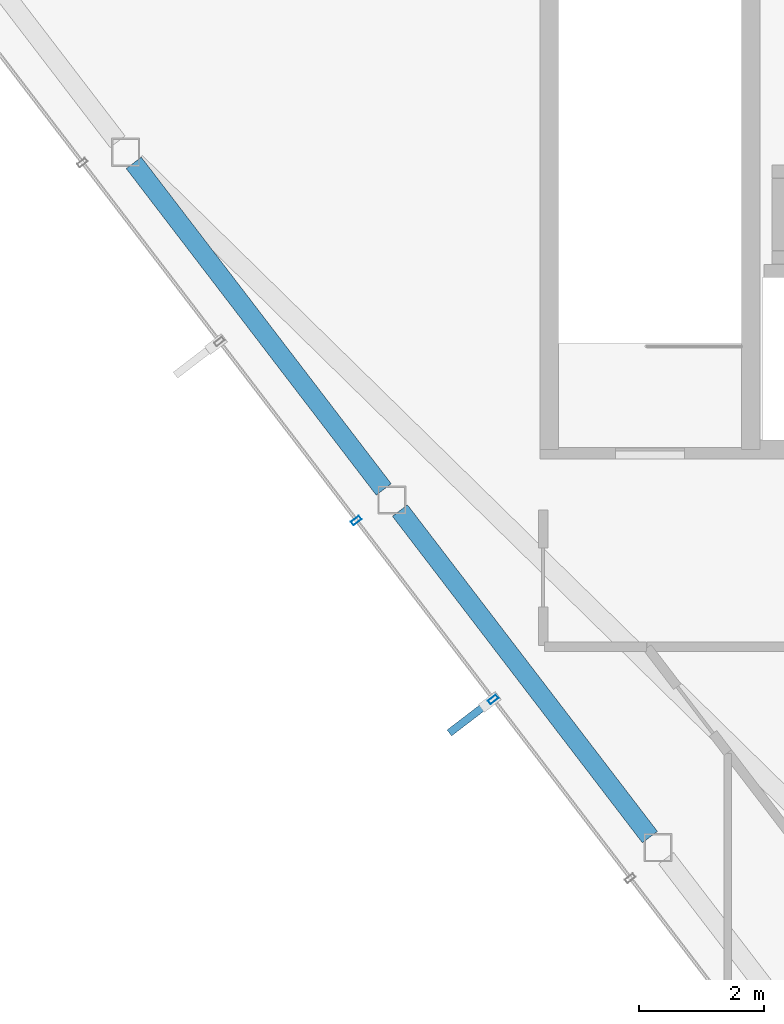
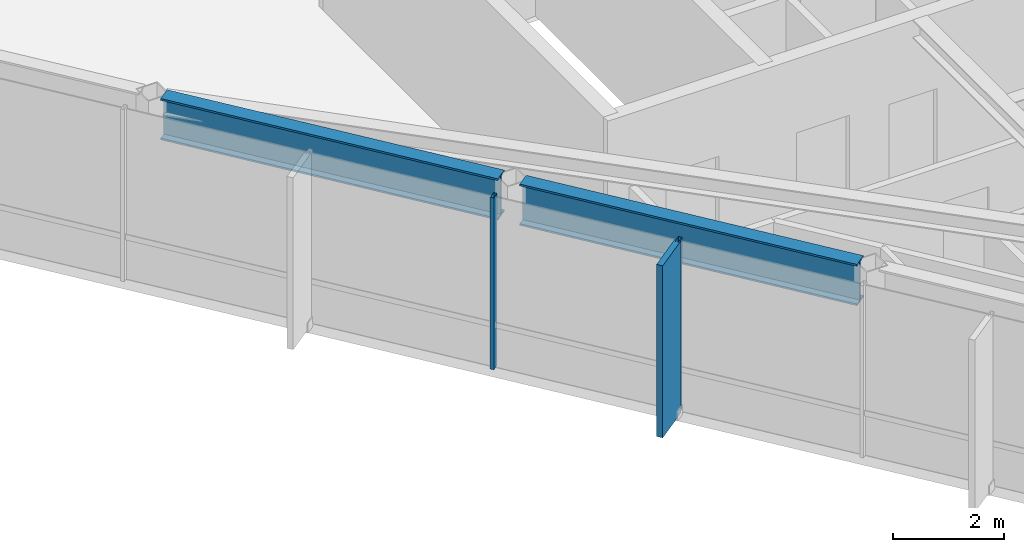
# One storey, part 3 of 21: 3 members, 2 beams, 1 element without a shape of its own.
"""IFC4 building model written with IfcOpenShell, lengths in metres."""

from ifc_helpers import new_model, si_unit, direction, frame, origin, origin_2d, place, context, subcontext, project, spatial, rectangle, hollow_rectangle, i_section, extrude, material, layer, layer_set, material_profile, profile_set, type_object, element, aggregate, save


model = new_model("IFC4")

# Units and contexts
model_context = context("Model", 3, precision=1e-05, world=origin(), true_north=direction((0.0, 1.0)))
body_context = subcontext(model_context, "Body", "Model", "MODEL_VIEW")
ifc_project = project(units=[si_unit("LENGTHUNIT", "METRE"), si_unit("AREAUNIT", "SQUARE_METRE"), si_unit("VOLUMEUNIT", "CUBIC_METRE"), si_unit("PLANEANGLEUNIT", "RADIAN"), si_unit("MASSUNIT", "GRAM", prefix="KILO")], contexts=[model_context])

# Site, building, storey
site_placement = place(None, origin())
site = spatial("IfcSite", under=ifc_project, at=site_placement, CompositionType="ELEMENT")
building_placement = place(site_placement, origin())
building = spatial("IfcBuilding", under=site, at=building_placement, Name="Zarrinselat Tower", CompositionType="ELEMENT")
storey_placement = place(building_placement, frame((0.0, 0.0, 299.199951171875)))
storey = spatial("IfcBuildingStorey", under=building, at=storey_placement, Name="L77", CompositionType="ELEMENT", Elevation=299.199951171875)

# Beams
ifc_material_1 = material(Name="Steel S460M", Category="steel")
ifc_material_profile_1 = material_profile(ifc_material_1, i_section(OverallWidth=0.302001953125, OverallDepth=0.909912109375, WebThickness=0.02099609375, FlangeThickness=0.0400390625, at=origin_2d()), Name="HEM 900")
ifc_profile_set_1 = profile_set([ifc_material_profile_1], Name="Steel S460M")
beam_type = type_object("IfcBeamType", Name="BM-HEM900", PredefinedType="BEAM", material=ifc_profile_set_1)
beam_1_placement = place(storey_placement, frame((22.0029296875, 37.885498046875, 3.324951171875), z_axis=(0.607893681854, -0.794018432759, 0.0), x_axis=(0.794018432759, 0.607893681854, 0.0)))
element("IfcBeam", 1, at=beam_1_placement, inside=storey, type_object=beam_type, Name="L77 Perimeter Spandrel Girder SP07", PredefinedType="BEAM", context=body_context, shape_type="SweptSolid", body=[
    extrude(i_section(OverallWidth=0.302001953125, OverallDepth=0.909912109375, WebThickness=0.02099609375, FlangeThickness=0.0400390625, at=origin_2d()), origin(), (0.0, 0.0, 1.0), 6.576904296875),
])
beam_2_placement = place(storey_placement, frame((26.260009765625, 32.3251953125, 3.324951171875), z_axis=(0.607875764703, -0.794032149656, 0.0), x_axis=(0.794032149656, 0.607875764703, 0.0)))
element("IfcBeam", 2, at=beam_2_placement, inside=storey, type_object=beam_type, Name="L77 Perimeter Spandrel Girder SP08", PredefinedType="BEAM", context=body_context, shape_type="SweptSolid", body=[
    extrude(i_section(OverallWidth=0.302001953125, OverallDepth=0.909912109375, WebThickness=0.02099609375, FlangeThickness=0.0400390625, at=origin_2d()), origin(), (0.0, 0.0, 1.0), 6.5771484375),
])

# Curtain wall, members
ifc_material_2 = material(Name="Extruded Aluminium Alloy EN AW-6063 T6", Category="aluminium")
ifc_layer = layer(ifc_material_2, 0.169921875)
ifc_layer_set = layer_set([ifc_layer], Name="Extruded Aluminium Alloy EN AW-6063 T6")
curtain_wall_type = type_object("IfcCurtainWallType", Name="CWS-RES", PredefinedType="NOTDEFINED", material=ifc_layer_set)
curtain_wall_placement = place(storey_placement, origin())
curtain_wall = element("IfcCurtainWall", 3, at=curtain_wall_placement, inside=storey, type_object=curtain_wall_type, Name="L77 Unitised Curtain Wall CW-L77-E03", PredefinedType="NOTDEFINED")
ifc_material_3 = material(Name="Extruded Aluminium Alloy EN AW-6063 T6", Category="aluminium")
ifc_material_profile_2 = material_profile(ifc_material_3, hollow_rectangle(XDim=0.070068359375, YDim=0.159912109375, WallThickness=0.00390625, at=origin_2d()), Name="RHS 160x70x4")
ifc_profile_set_2 = profile_set([ifc_material_profile_2], Name="Extruded Aluminium Alloy EN AW-6063 T6")
member_type_1 = type_object("IfcMemberType", Name="MEM-CW-MUL2", PredefinedType="MULLION", material=ifc_profile_set_2)
member_1_placement = place(storey_placement, frame((25.56201171875, 32.16748046875, 0.0), z_axis=(0.0, 0.0, 1.0), x_axis=(0.607898371255, -0.794014842572, 0.0)))
member_1 = element("IfcMember", 4, at=member_1_placement, type_object=member_type_1, Name="CW-L77-E03 Mullion 4", PredefinedType="MULLION", context=body_context, shape_type="SweptSolid", body=[
    extrude(hollow_rectangle(XDim=0.070068359375, YDim=0.159912109375, WallThickness=0.00390625, at=origin_2d()), origin(), (0.0, 0.0, 1.0), 3.780029296875),
])
member_2_placement = place(storey_placement, frame((27.75244140625, 29.306396484375, 0.0), z_axis=(0.0, 0.0, 1.0), x_axis=(0.607898371255, -0.794014842572, 0.0)))
member_2 = element("IfcMember", 5, at=member_2_placement, type_object=member_type_1, Name="CW-L77-E03 Mullion 5", PredefinedType="MULLION", context=body_context, shape_type="SweptSolid", body=[
    extrude(hollow_rectangle(XDim=0.070068359375, YDim=0.159912109375, WallThickness=0.00390625, at=origin_2d()), origin(), (0.0, 0.0, 1.0), 3.780029296875),
])
ifc_material_4 = material(Name="Honed Cream Travertine Stone", Category="masonry")
ifc_material_profile_3 = material_profile(ifc_material_4, rectangle(XDim=0.1201171875, YDim=0.85009765625, at=origin_2d()), Name="FIN 850x120")
ifc_profile_set_3 = profile_set([ifc_material_profile_3], Name="Honed Cream Travertine Stone")
member_type_2 = type_object("IfcMemberType", Name="MEM-STONE-FIN", PredefinedType="USERDEFINED", material=ifc_profile_set_3)
member_3_placement = place(storey_placement, frame((27.38720703125, 29.02685546875, 0.0), z_axis=(0.0, 0.0, 1.0), x_axis=(-0.607898371255, 0.794014842572, 0.0)))
member_3 = element("IfcMember", 6, at=member_3_placement, type_object=member_type_2, Name="L77 Stone Shading Fin CW-L77-E03-05", ObjectType="FIN", PredefinedType="USERDEFINED", context=body_context, shape_type="SweptSolid", body=[
    extrude(rectangle(XDim=0.1201171875, YDim=0.85009765625, at=origin_2d()), origin(), (0.0, 0.0, 1.0), 3.780029296875),
])
aggregate(curtain_wall, [member_1, member_2, member_3])

save(model, "model.ifc")
